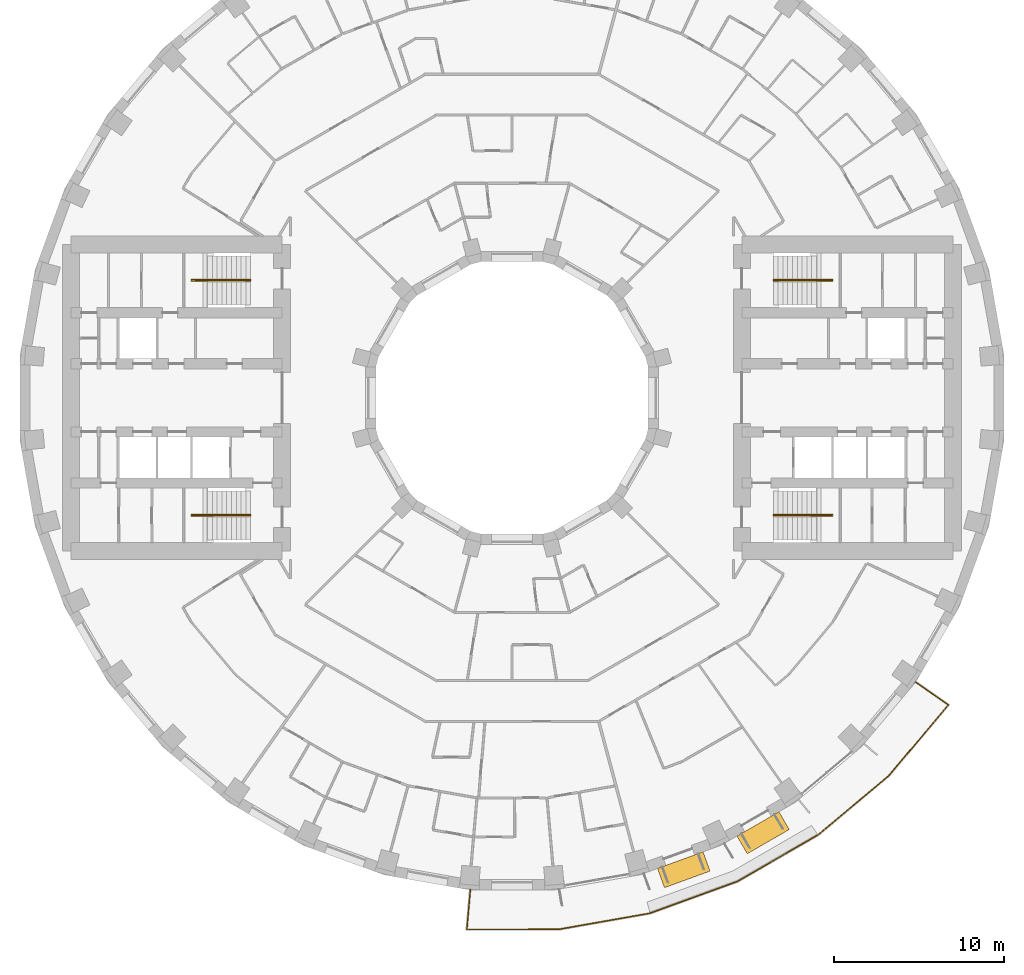
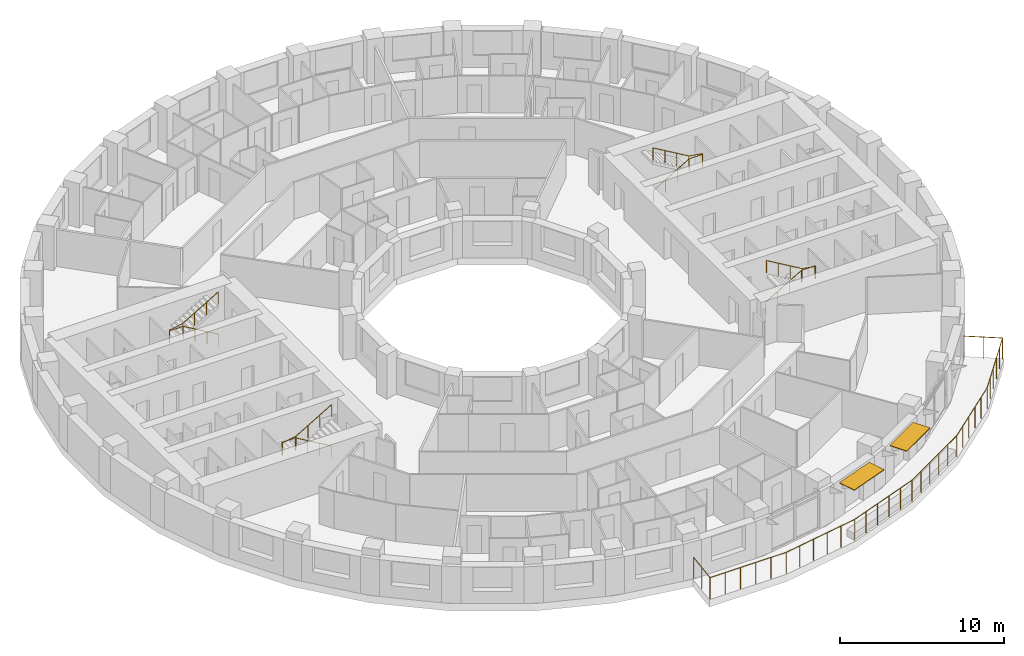
# One storey, part 17 of 17: 5 railings, 2 shading devices.
"""IFC4 building model written with IfcOpenShell, lengths in metres."""

from ifc_helpers import new_model, si_unit, direction, frame, origin, origin_2d, place, context, subcontext, project, spatial, rectangle, circle, extrude, material, layer, layer_set, type_object, element, save


model = new_model("IFC4")

# Units and contexts
model_context = context("Model", 3, precision=1e-05, world=origin(), true_north=direction((0.0, 1.0)))
body_context = subcontext(model_context, "Body", "Model", "MODEL_VIEW")
ifc_project = project(units=[si_unit("LENGTHUNIT", "METRE"), si_unit("AREAUNIT", "SQUARE_METRE"), si_unit("VOLUMEUNIT", "CUBIC_METRE"), si_unit("PLANEANGLEUNIT", "RADIAN"), si_unit("MASSUNIT", "GRAM", prefix="KILO")], contexts=[model_context])

# Site, building, storey
site_placement = place(None, origin())
site = spatial("IfcSite", under=ifc_project, at=site_placement, CompositionType="ELEMENT")
building_placement = place(site_placement, origin())
building = spatial("IfcBuilding", under=site, at=building_placement, Name="Saqina Gate Tower", CompositionType="ELEMENT")
storey_placement = place(building_placement, frame((0.0, 0.0, 29.60009765625)))
storey = spatial("IfcBuildingStorey", under=building, at=storey_placement, Name="L07", CompositionType="ELEMENT", Elevation=29.60009765625)

# Shading devices
ifc_material_1 = material(Name="Aluminium and fabric awning", Category="aluminium")
ifc_layer = layer(ifc_material_1, 0.050048828125)
ifc_layer_set = layer_set([ifc_layer], Name="AW-TERRACE")
shading_device_type = type_object("IfcShadingDeviceType", Name="AW-TERRACE", PredefinedType="AWNING", material=ifc_layer_set)
for number, where, z_axis, x_axis, name in (
    (1, (10.086181640625, -27.711181640625, 2.52490234375), (0.0, 0.0, 1.0), (0.939692620786, 0.342020143326, 0.0), "Terrace awning L07 facet 29"),
    (2, (14.744873046875, -25.538818359375, 2.52490234375), (0.0, 0.0, 1.0), (0.866025403784, 0.5, 0.0), "Terrace awning L07 facet 30"),
):
    element("IfcShadingDevice", number, at=place(storey_placement, frame(where, z_axis=z_axis, x_axis=x_axis)), inside=storey, type_object=shading_device_type, Name=name, PredefinedType="AWNING", context=body_context, shape_type="SweptSolid", body=[
        extrude(rectangle(XDim=2.845703125, YDim=1.199951171875, at=origin_2d()), origin(), (0.0, 0.0, 1.0), 0.050048828125),
    ])

# Railings
ifc_material_2 = material(Name="Stainless steel", Category="steel")
railing_type_1 = type_object("IfcRailingType", Name="RL-TERRACE", PredefinedType="GUARDRAIL", material=ifc_material_2)
railing_1_placement = place(storey_placement, frame((-2.442626953125, -28.8369140625, 0.0)))
element("IfcRailing", 3, at=railing_1_placement, inside=storey, type_object=railing_type_1, Name="Terrace guard L07", PredefinedType="GUARDRAIL", context=body_context, shape_type="SweptSolid", body=[
    extrude(circle(Radius=0.02392578125, at=origin_2d()), frame((0.0, 0.0, 1.576171875), z_axis=(-0.087180896688, -0.996192497087, 0.0), x_axis=(0.996192497087, -0.087180896688, 0.0)), (0.0, 0.0, 1.0), 2.388671875),
    extrude(circle(Radius=0.02392578125, at=origin_2d()), frame((-0.208251953125, -2.379638671875, 1.576171875), z_axis=(0.999999193167, 0.001270301126, 0.0), x_axis=(-0.001270301126, 0.999999193167, 0.0)), (0.0, 0.0, 1.0), 5.38134765625),
    extrude(circle(Radius=0.02392578125, at=origin_2d()), frame((5.173095703125, -2.372802734375, 1.576171875), z_axis=(0.984808752483, 0.17364250929, 0.0), x_axis=(-0.17364250929, 0.984808752483, 0.0)), (0.0, 0.0, 1.0), 5.4609375),
    extrude(circle(Radius=0.02392578125, at=origin_2d()), frame((10.551025390625, -1.424560546875, 1.576171875), z_axis=(0.939682423935, 0.342048157644, 0.0), x_axis=(-0.342048157644, 0.939682423935, 0.0)), (0.0, 0.0, 1.0), 5.4609375),
    extrude(circle(Radius=0.02392578125, at=origin_2d()), frame((15.6826171875, 0.443359375, 1.576171875), z_axis=(0.866033716285, 0.499985602051, 0.0), x_axis=(-0.499985602051, 0.866033716285, 0.0)), (0.0, 0.0, 1.0), 5.461181640625),
    extrude(circle(Radius=0.02392578125, at=origin_2d()), frame((20.412109375, 3.173828125, 1.576171875), z_axis=(0.766043830705, 0.642788339532, 0.0), x_axis=(-0.642788339532, 0.766043830705, 0.0)), (0.0, 0.0, 1.0), 5.4609375),
    extrude(circle(Radius=0.02392578125, at=origin_2d()), frame((24.595458984375, 6.68408203125, 1.576171875), z_axis=(0.643769641069, 0.76521934714, 0.0), x_axis=(-0.76521934714, 0.643769641069, 0.0)), (0.0, 0.0, 1.0), 5.38134765625),
    extrude(circle(Radius=0.02392578125, at=origin_2d()), frame((28.059814453125, 10.802001953125, 1.576171875), z_axis=(-0.819159891559, 0.573565229124, 0.0), x_axis=(-0.573565229124, -0.819159891559, 0.0)), (0.0, 0.0, 1.0), 2.388671875),
    extrude(circle(Radius=0.02099609375, at=origin_2d()), origin(), (0.0, 0.0, 1.0), 1.552001953125),
    extrude(circle(Radius=0.02099609375, at=origin_2d()), frame((-0.10400390625, -1.18994140625, 0.0)), (0.0, 0.0, 1.0), 1.552001953125),
    extrude(circle(Radius=0.02099609375, at=origin_2d()), frame((-0.208251953125, -2.379638671875, 0.0)), (0.0, 0.0, 1.0), 1.552001953125),
    extrude(circle(Radius=0.02099609375, at=origin_2d()), frame((0.867919921875, -2.378173828125, 0.0)), (0.0, 0.0, 1.0), 1.552001953125),
    extrude(circle(Radius=0.02099609375, at=origin_2d()), frame((1.9443359375, -2.376953125, 0.0)), (0.0, 0.0, 1.0), 1.552001953125),
    extrude(circle(Radius=0.02099609375, at=origin_2d()), frame((3.0205078125, -2.37548828125, 0.0)), (0.0, 0.0, 1.0), 1.552001953125),
    extrude(circle(Radius=0.02099609375, at=origin_2d()), frame((4.096923828125, -2.374267578125, 0.0)), (0.0, 0.0, 1.0), 1.552001953125),
    extrude(circle(Radius=0.02099609375, at=origin_2d()), frame((5.173095703125, -2.372802734375, 0.0)), (0.0, 0.0, 1.0), 1.552001953125),
    extrude(circle(Radius=0.02099609375, at=origin_2d()), frame((6.248779296875, -2.18310546875, 0.0)), (0.0, 0.0, 1.0), 1.552001953125),
    extrude(circle(Radius=0.02099609375, at=origin_2d()), frame((7.32421875, -1.993408203125, 0.0)), (0.0, 0.0, 1.0), 1.552001953125),
    extrude(circle(Radius=0.02099609375, at=origin_2d()), frame((8.39990234375, -1.803955078125, 0.0)), (0.0, 0.0, 1.0), 1.552001953125),
    extrude(circle(Radius=0.02099609375, at=origin_2d()), frame((9.475341796875, -1.6142578125, 0.0)), (0.0, 0.0, 1.0), 1.552001953125),
    extrude(circle(Radius=0.02099609375, at=origin_2d()), frame((10.551025390625, -1.424560546875, 0.0)), (0.0, 0.0, 1.0), 1.552001953125),
    extrude(circle(Radius=0.02099609375, at=origin_2d()), frame((11.577392578125, -1.051025390625, 0.0)), (0.0, 0.0, 1.0), 1.552001953125),
    extrude(circle(Radius=0.02099609375, at=origin_2d()), frame((12.603759765625, -0.677490234375, 0.0)), (0.0, 0.0, 1.0), 1.552001953125),
    extrude(circle(Radius=0.02099609375, at=origin_2d()), frame((13.6298828125, -0.3037109375, 0.0)), (0.0, 0.0, 1.0), 1.552001953125),
    extrude(circle(Radius=0.02099609375, at=origin_2d()), frame((14.65625, 0.06982421875, 0.0)), (0.0, 0.0, 1.0), 1.552001953125),
    extrude(circle(Radius=0.02099609375, at=origin_2d()), frame((15.6826171875, 0.443359375, 0.0)), (0.0, 0.0, 1.0), 1.552001953125),
    extrude(circle(Radius=0.02099609375, at=origin_2d()), frame((16.62841796875, 0.989501953125, 0.0)), (0.0, 0.0, 1.0), 1.552001953125),
    extrude(circle(Radius=0.02099609375, at=origin_2d()), frame((17.574462890625, 1.53564453125, 0.0)), (0.0, 0.0, 1.0), 1.552001953125),
    extrude(circle(Radius=0.02099609375, at=origin_2d()), frame((18.520263671875, 2.08154296875, 0.0)), (0.0, 0.0, 1.0), 1.552001953125),
    extrude(circle(Radius=0.02099609375, at=origin_2d()), frame((19.46630859375, 2.627685546875, 0.0)), (0.0, 0.0, 1.0), 1.552001953125),
    extrude(circle(Radius=0.02099609375, at=origin_2d()), frame((20.412109375, 3.173828125, 0.0)), (0.0, 0.0, 1.0), 1.552001953125),
    extrude(circle(Radius=0.02099609375, at=origin_2d()), frame((21.248779296875, 3.8759765625, 0.0)), (0.0, 0.0, 1.0), 1.552001953125),
    extrude(circle(Radius=0.02099609375, at=origin_2d()), frame((22.08544921875, 4.577880859375, 0.0)), (0.0, 0.0, 1.0), 1.552001953125),
    extrude(circle(Radius=0.02099609375, at=origin_2d()), frame((22.922119140625, 5.280029296875, 0.0)), (0.0, 0.0, 1.0), 1.552001953125),
    extrude(circle(Radius=0.02099609375, at=origin_2d()), frame((23.7587890625, 5.98193359375, 0.0)), (0.0, 0.0, 1.0), 1.552001953125),
    extrude(circle(Radius=0.02099609375, at=origin_2d()), frame((24.595458984375, 6.68408203125, 0.0)), (0.0, 0.0, 1.0), 1.552001953125),
    extrude(circle(Radius=0.02099609375, at=origin_2d()), frame((25.288330078125, 7.507568359375, 0.0)), (0.0, 0.0, 1.0), 1.552001953125),
    extrude(circle(Radius=0.02099609375, at=origin_2d()), frame((25.981201171875, 8.331298828125, 0.0)), (0.0, 0.0, 1.0), 1.552001953125),
    extrude(circle(Radius=0.02099609375, at=origin_2d()), frame((26.674072265625, 9.15478515625, 0.0)), (0.0, 0.0, 1.0), 1.552001953125),
    extrude(circle(Radius=0.02099609375, at=origin_2d()), frame((27.366943359375, 9.978515625, 0.0)), (0.0, 0.0, 1.0), 1.552001953125),
    extrude(circle(Radius=0.02099609375, at=origin_2d()), frame((28.059814453125, 10.802001953125, 0.0)), (0.0, 0.0, 1.0), 1.552001953125),
    extrude(circle(Radius=0.02099609375, at=origin_2d()), frame((27.08154296875, 11.487060546875, 0.0)), (0.0, 0.0, 1.0), 1.552001953125),
    extrude(circle(Radius=0.02099609375, at=origin_2d()), frame((26.10302734375, 12.172119140625, 0.0)), (0.0, 0.0, 1.0), 1.552001953125),
])
ifc_material_3 = material(Name="Stainless steel", Category="steel")
railing_type_2 = type_object("IfcRailingType", Name="STAIR HANDRAIL", PredefinedType="HANDRAIL", material=ifc_material_3)
railing_2_placement = place(storey_placement, frame((15.35009765625, 6.86669921875, 0.164794921875)))
element("IfcRailing", 4, at=railing_2_placement, inside=storey, type_object=railing_type_2, Name="EXIT STAIR 1 HANDRAIL", PredefinedType="HANDRAIL", context=body_context, shape_type="SweptSolid", body=[
    extrude(circle(Radius=0.02392578125, at=origin_2d()), frame((0.0, 0.0, 0.92578125), z_axis=(0.86152411907, 0.0, 0.507716645641), x_axis=(0.0, 1.0, 0.0)), (0.0, 0.0, 1.0), 2.925048828125),
    extrude(circle(Radius=0.02392578125, at=origin_2d()), frame((2.52001953125, 0.0, 2.4111328125), z_axis=(1.0, 0.0, 0.0), x_axis=(0.0, 1.0, 0.0)), (0.0, 0.0, 1.0), 0.949951171875),
    extrude(circle(Radius=0.02392578125, at=origin_2d()), frame((3.469970703125, 0.0, 2.4111328125), z_axis=(0.0, 1.0, 0.0), x_axis=(-1.0, 0.0, 0.0)), (0.0, 0.0, 1.0), 0.066650390625),
    extrude(circle(Radius=0.02392578125, at=origin_2d()), frame((3.469970703125, 0.066650390625, 2.4111328125), z_axis=(-0.985241474778, 0.0, 0.171170197109), x_axis=(0.0, -1.0, 0.0)), (0.0, 0.0, 1.0), 0.964111328125),
    extrude(circle(Radius=0.02392578125, at=origin_2d()), frame((2.52001953125, 0.066650390625, 2.576171875), z_axis=(-0.861560626758, 0.0, 0.507654692109), x_axis=(0.0, -1.0, 0.0)), (0.0, 0.0, 1.0), 2.925048828125),
    extrude(circle(Radius=0.02099609375, at=origin_2d()), origin(), (0.0, 0.0, 1.0), 0.90185546875),
    extrude(circle(Radius=0.02099609375, at=origin_2d()), frame((0.840087890625, 0.0, 0.4951171875)), (0.0, 0.0, 1.0), 0.90185546875),
    extrude(circle(Radius=0.02099609375, at=origin_2d()), frame((1.679931640625, 0.0, 0.989990234375)), (0.0, 0.0, 1.0), 0.90185546875),
    extrude(circle(Radius=0.02099609375, at=origin_2d()), frame((2.52001953125, 0.0, 1.485107421875)), (0.0, 0.0, 1.0), 0.90185546875),
    extrude(circle(Radius=0.02099609375, at=origin_2d()), frame((3.469970703125, 0.0, 1.485107421875)), (0.0, 0.0, 1.0), 0.90185546875),
    extrude(circle(Radius=0.02099609375, at=origin_2d()), frame((3.469970703125, 0.066650390625, 1.485107421875)), (0.0, 0.0, 1.0), 0.90185546875),
    extrude(circle(Radius=0.02099609375, at=origin_2d()), frame((2.52001953125, 0.066650390625, 1.650146484375)), (0.0, 0.0, 1.0), 0.90185546875),
    extrude(circle(Radius=0.02099609375, at=origin_2d()), frame((1.679931640625, 0.066650390625, 2.14501953125)), (0.0, 0.0, 1.0), 0.90185546875),
    extrude(circle(Radius=0.02099609375, at=origin_2d()), frame((0.840087890625, 0.066650390625, 2.64013671875)), (0.0, 0.0, 1.0), 0.90185546875),
    extrude(circle(Radius=0.02099609375, at=origin_2d()), frame((0.0, 0.066650390625, 3.135009765625)), (0.0, 0.0, 1.0), 0.90185546875),
])
railing_3_placement = place(storey_placement, frame((15.35009765625, -6.86669921875, 0.164794921875)))
element("IfcRailing", 5, at=railing_3_placement, inside=storey, type_object=railing_type_2, Name="EXIT STAIR 2 HANDRAIL", PredefinedType="HANDRAIL", context=body_context, shape_type="SweptSolid", body=[
    extrude(circle(Radius=0.02392578125, at=origin_2d()), frame((0.0, 0.0, 0.92578125), z_axis=(0.86152411907, 0.0, 0.507716645641), x_axis=(0.0, 1.0, 0.0)), (0.0, 0.0, 1.0), 2.925048828125),
    extrude(circle(Radius=0.02392578125, at=origin_2d()), frame((2.52001953125, 0.0, 2.4111328125), z_axis=(1.0, 0.0, 0.0), x_axis=(0.0, 1.0, 0.0)), (0.0, 0.0, 1.0), 0.949951171875),
    extrude(circle(Radius=0.02392578125, at=origin_2d()), frame((3.469970703125, 0.0, 2.4111328125), z_axis=(0.0, -1.0, 0.0), x_axis=(1.0, 0.0, 0.0)), (0.0, 0.0, 1.0), 0.066650390625),
    extrude(circle(Radius=0.02392578125, at=origin_2d()), frame((3.469970703125, -0.066650390625, 2.4111328125), z_axis=(-0.985241474778, 0.0, 0.171170197109), x_axis=(0.0, -1.0, 0.0)), (0.0, 0.0, 1.0), 0.964111328125),
    extrude(circle(Radius=0.02392578125, at=origin_2d()), frame((2.52001953125, -0.066650390625, 2.576171875), z_axis=(-0.861560626758, 0.0, 0.507654692109), x_axis=(0.0, -1.0, 0.0)), (0.0, 0.0, 1.0), 2.925048828125),
    extrude(circle(Radius=0.02099609375, at=origin_2d()), origin(), (0.0, 0.0, 1.0), 0.90185546875),
    extrude(circle(Radius=0.02099609375, at=origin_2d()), frame((0.840087890625, 0.0, 0.4951171875)), (0.0, 0.0, 1.0), 0.90185546875),
    extrude(circle(Radius=0.02099609375, at=origin_2d()), frame((1.679931640625, 0.0, 0.989990234375)), (0.0, 0.0, 1.0), 0.90185546875),
    extrude(circle(Radius=0.02099609375, at=origin_2d()), frame((2.52001953125, 0.0, 1.485107421875)), (0.0, 0.0, 1.0), 0.90185546875),
    extrude(circle(Radius=0.02099609375, at=origin_2d()), frame((3.469970703125, 0.0, 1.485107421875)), (0.0, 0.0, 1.0), 0.90185546875),
    extrude(circle(Radius=0.02099609375, at=origin_2d()), frame((3.469970703125, -0.066650390625, 1.485107421875)), (0.0, 0.0, 1.0), 0.90185546875),
    extrude(circle(Radius=0.02099609375, at=origin_2d()), frame((2.52001953125, -0.066650390625, 1.650146484375)), (0.0, 0.0, 1.0), 0.90185546875),
    extrude(circle(Radius=0.02099609375, at=origin_2d()), frame((1.679931640625, -0.066650390625, 2.14501953125)), (0.0, 0.0, 1.0), 0.90185546875),
    extrude(circle(Radius=0.02099609375, at=origin_2d()), frame((0.840087890625, -0.066650390625, 2.64013671875)), (0.0, 0.0, 1.0), 0.90185546875),
    extrude(circle(Radius=0.02099609375, at=origin_2d()), frame((0.0, -0.066650390625, 3.135009765625)), (0.0, 0.0, 1.0), 0.90185546875),
])
railing_4_placement = place(storey_placement, frame((-15.35009765625, 6.86669921875, 0.164794921875)))
element("IfcRailing", 6, at=railing_4_placement, inside=storey, type_object=railing_type_2, Name="EXIT STAIR 3 HANDRAIL", PredefinedType="HANDRAIL", context=body_context, shape_type="SweptSolid", body=[
    extrude(circle(Radius=0.02392578125, at=origin_2d()), frame((0.0, 0.0, 0.92578125), z_axis=(-0.86152411907, 0.0, 0.507716645641), x_axis=(0.0, -1.0, 0.0)), (0.0, 0.0, 1.0), 2.925048828125),
    extrude(circle(Radius=0.02392578125, at=origin_2d()), frame((-2.52001953125, 0.0, 2.4111328125), z_axis=(-1.0, 0.0, 0.0), x_axis=(0.0, -1.0, 0.0)), (0.0, 0.0, 1.0), 0.949951171875),
    extrude(circle(Radius=0.02392578125, at=origin_2d()), frame((-3.469970703125, 0.0, 2.4111328125), z_axis=(0.0, 1.0, 0.0), x_axis=(-1.0, 0.0, 0.0)), (0.0, 0.0, 1.0), 0.066650390625),
    extrude(circle(Radius=0.02392578125, at=origin_2d()), frame((-3.469970703125, 0.066650390625, 2.4111328125), z_axis=(0.985241474778, 0.0, 0.171170197109), x_axis=(0.0, 1.0, 0.0)), (0.0, 0.0, 1.0), 0.964111328125),
    extrude(circle(Radius=0.02392578125, at=origin_2d()), frame((-2.52001953125, 0.066650390625, 2.576171875), z_axis=(0.861560626758, 0.0, 0.507654692109), x_axis=(0.0, 1.0, 0.0)), (0.0, 0.0, 1.0), 2.925048828125),
    extrude(circle(Radius=0.02099609375, at=origin_2d()), origin(), (0.0, 0.0, 1.0), 0.90185546875),
    extrude(circle(Radius=0.02099609375, at=origin_2d()), frame((-0.840087890625, 0.0, 0.4951171875)), (0.0, 0.0, 1.0), 0.90185546875),
    extrude(circle(Radius=0.02099609375, at=origin_2d()), frame((-1.679931640625, 0.0, 0.989990234375)), (0.0, 0.0, 1.0), 0.90185546875),
    extrude(circle(Radius=0.02099609375, at=origin_2d()), frame((-2.52001953125, 0.0, 1.485107421875)), (0.0, 0.0, 1.0), 0.90185546875),
    extrude(circle(Radius=0.02099609375, at=origin_2d()), frame((-3.469970703125, 0.0, 1.485107421875)), (0.0, 0.0, 1.0), 0.90185546875),
    extrude(circle(Radius=0.02099609375, at=origin_2d()), frame((-3.469970703125, 0.066650390625, 1.485107421875)), (0.0, 0.0, 1.0), 0.90185546875),
    extrude(circle(Radius=0.02099609375, at=origin_2d()), frame((-2.52001953125, 0.066650390625, 1.650146484375)), (0.0, 0.0, 1.0), 0.90185546875),
    extrude(circle(Radius=0.02099609375, at=origin_2d()), frame((-1.679931640625, 0.066650390625, 2.14501953125)), (0.0, 0.0, 1.0), 0.90185546875),
    extrude(circle(Radius=0.02099609375, at=origin_2d()), frame((-0.840087890625, 0.066650390625, 2.64013671875)), (0.0, 0.0, 1.0), 0.90185546875),
    extrude(circle(Radius=0.02099609375, at=origin_2d()), frame((0.0, 0.066650390625, 3.135009765625)), (0.0, 0.0, 1.0), 0.90185546875),
])
railing_5_placement = place(storey_placement, frame((-15.35009765625, -6.86669921875, 0.164794921875)))
element("IfcRailing", 7, at=railing_5_placement, inside=storey, type_object=railing_type_2, Name="EXIT STAIR 4 HANDRAIL", PredefinedType="HANDRAIL", context=body_context, shape_type="SweptSolid", body=[
    extrude(circle(Radius=0.02392578125, at=origin_2d()), frame((0.0, 0.0, 0.92578125), z_axis=(-0.86152411907, 0.0, 0.507716645641), x_axis=(0.0, -1.0, 0.0)), (0.0, 0.0, 1.0), 2.925048828125),
    extrude(circle(Radius=0.02392578125, at=origin_2d()), frame((-2.52001953125, 0.0, 2.4111328125), z_axis=(-1.0, 0.0, 0.0), x_axis=(0.0, -1.0, 0.0)), (0.0, 0.0, 1.0), 0.949951171875),
    extrude(circle(Radius=0.02392578125, at=origin_2d()), frame((-3.469970703125, 0.0, 2.4111328125), z_axis=(0.0, -1.0, 0.0), x_axis=(1.0, 0.0, 0.0)), (0.0, 0.0, 1.0), 0.066650390625),
    extrude(circle(Radius=0.02392578125, at=origin_2d()), frame((-3.469970703125, -0.066650390625, 2.4111328125), z_axis=(0.985241474778, 0.0, 0.171170197109), x_axis=(0.0, 1.0, 0.0)), (0.0, 0.0, 1.0), 0.964111328125),
    extrude(circle(Radius=0.02392578125, at=origin_2d()), frame((-2.52001953125, -0.066650390625, 2.576171875), z_axis=(0.861560626758, 0.0, 0.507654692109), x_axis=(0.0, 1.0, 0.0)), (0.0, 0.0, 1.0), 2.925048828125),
    extrude(circle(Radius=0.02099609375, at=origin_2d()), origin(), (0.0, 0.0, 1.0), 0.90185546875),
    extrude(circle(Radius=0.02099609375, at=origin_2d()), frame((-0.840087890625, 0.0, 0.4951171875)), (0.0, 0.0, 1.0), 0.90185546875),
    extrude(circle(Radius=0.02099609375, at=origin_2d()), frame((-1.679931640625, 0.0, 0.989990234375)), (0.0, 0.0, 1.0), 0.90185546875),
    extrude(circle(Radius=0.02099609375, at=origin_2d()), frame((-2.52001953125, 0.0, 1.485107421875)), (0.0, 0.0, 1.0), 0.90185546875),
    extrude(circle(Radius=0.02099609375, at=origin_2d()), frame((-3.469970703125, 0.0, 1.485107421875)), (0.0, 0.0, 1.0), 0.90185546875),
    extrude(circle(Radius=0.02099609375, at=origin_2d()), frame((-3.469970703125, -0.066650390625, 1.485107421875)), (0.0, 0.0, 1.0), 0.90185546875),
    extrude(circle(Radius=0.02099609375, at=origin_2d()), frame((-2.52001953125, -0.066650390625, 1.650146484375)), (0.0, 0.0, 1.0), 0.90185546875),
    extrude(circle(Radius=0.02099609375, at=origin_2d()), frame((-1.679931640625, -0.066650390625, 2.14501953125)), (0.0, 0.0, 1.0), 0.90185546875),
    extrude(circle(Radius=0.02099609375, at=origin_2d()), frame((-0.840087890625, -0.066650390625, 2.64013671875)), (0.0, 0.0, 1.0), 0.90185546875),
    extrude(circle(Radius=0.02099609375, at=origin_2d()), frame((0.0, -0.066650390625, 3.135009765625)), (0.0, 0.0, 1.0), 0.90185546875),
])

save(model, "model.ifc")
